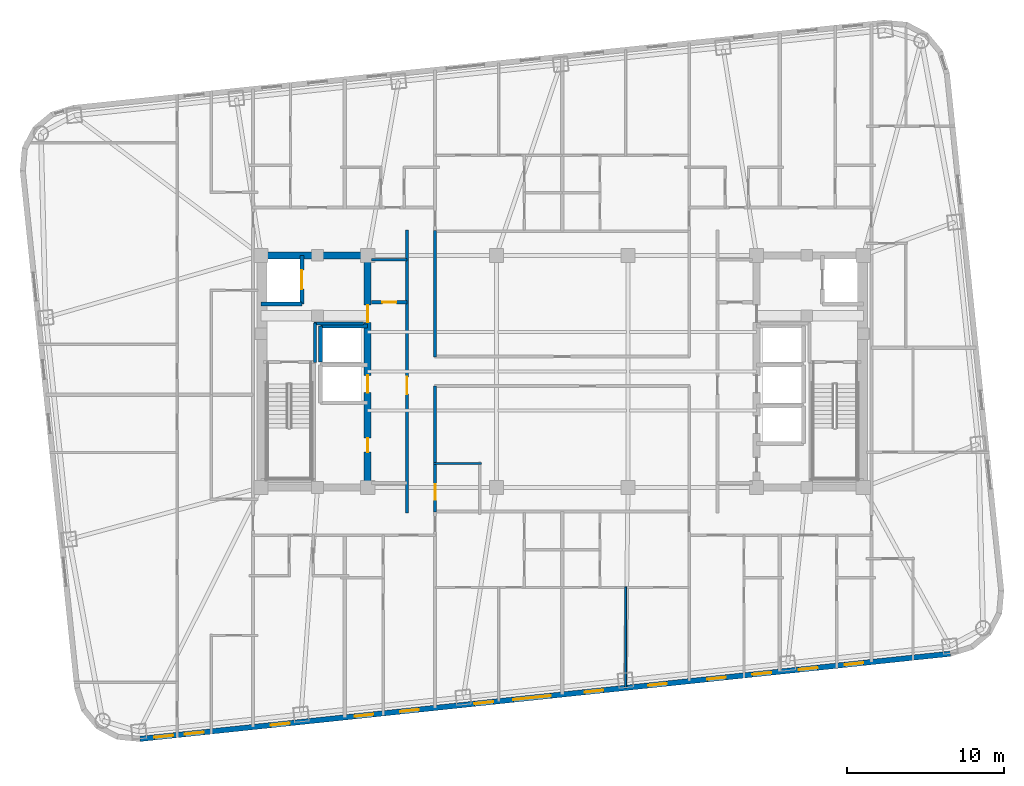
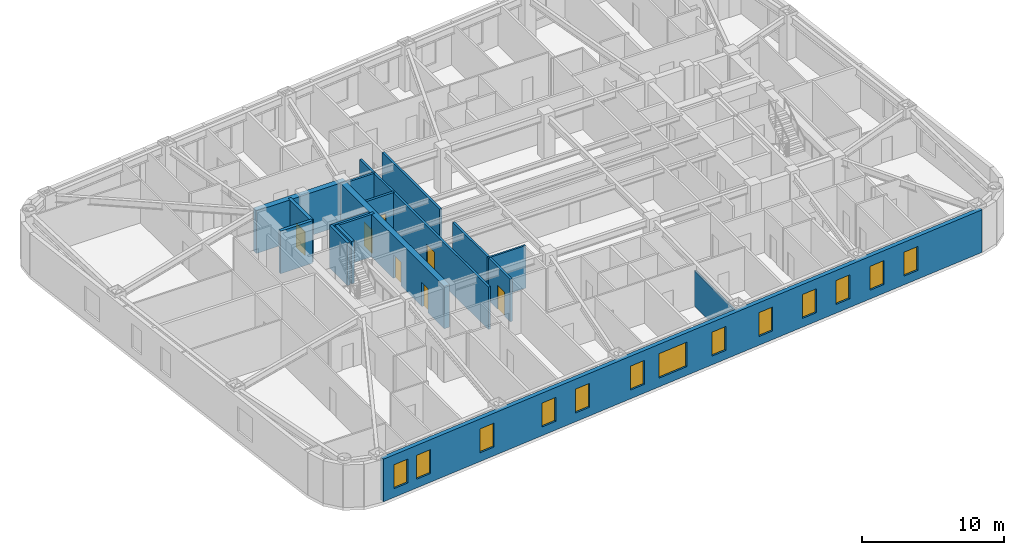
# One storey, part 4 of 11: 16 walls, 13 windows, 7 doors, 20 openings.
"""IFC4 building model written with IfcOpenShell, lengths in metres."""

from ifc_helpers import new_model, si_unit, direction, frame, frame_2d, origin, place, context, subcontext, project, spatial, rectangle, extrude, material, layer, layer_set, type_object, element, fill, save


model = new_model("IFC4")

# Units and contexts
model_context = context("Model", 3, precision=1e-05, world=origin(), true_north=direction((0.0, 1.0)))
body_context = subcontext(model_context, "Body", "Model", "MODEL_VIEW")
ifc_project = project(units=[si_unit("LENGTHUNIT", "METRE"), si_unit("AREAUNIT", "SQUARE_METRE"), si_unit("VOLUMEUNIT", "CUBIC_METRE"), si_unit("PLANEANGLEUNIT", "RADIAN"), si_unit("MASSUNIT", "GRAM", prefix="KILO")], contexts=[model_context])

# Site, building, storey
site_placement = place(None, origin())
site = spatial("IfcSite", under=ifc_project, at=site_placement, CompositionType="ELEMENT")
building_placement = place(site_placement, origin())
building = spatial("IfcBuilding", under=site, at=building_placement, Name="Voryun Gate Residences", CompositionType="ELEMENT")
storey_placement = place(building_placement, frame((0.0, 0.0, 156.0)))
storey = spatial("IfcBuildingStorey", under=building, at=storey_placement, Name="L38", CompositionType="ELEMENT", Elevation=156.0)

# Wall
ifc_material_1 = material(Name="Concrete C50/60", Category="concrete")
ifc_layer_1 = layer(ifc_material_1, 0.449951171875, Name="CW_CORE_450")
ifc_layer_set_1 = layer_set([ifc_layer_1], Name="Concrete C50/60")
wall_type_1 = type_object("IfcWallType", Name="CW_CORE_450", PredefinedType="SHEAR", material=ifc_layer_set_1)
wall_1_placement = place(storey_placement, frame((-19.425048828125, 7.39990234375, 0.0), z_axis=(0.0, 0.0, 1.0), x_axis=(1.0, 0.0, 0.0)))
element("IfcWall", 1, at=wall_1_placement, inside=storey, type_object=wall_type_1, Name="L38 Core shear wall CW-L38-WN", PredefinedType="SHEAR", context=body_context, shape_type="SweptSolid", body=[
    extrude(rectangle(XDim=7.25, YDim=0.449951171875, at=frame_2d((3.625, 0.0))), origin(), (0.0, 0.0, 1.0), 3.64990234375),
])

# Wall, openings, doors
wall_2_placement = place(storey_placement, frame((-12.39990234375, -7.39990234375, 0.0), z_axis=(0.0, 0.0, 1.0), x_axis=(0.0, 1.0, 0.0)))
wall_2 = element("IfcWall", 2, at=wall_2_placement, inside=storey, type_object=wall_type_1, Name="L38 Core shear wall CW-L38-WE", PredefinedType="SHEAR", context=body_context, shape_type="SweptSolid", body=[
    extrude(rectangle(XDim=14.7998046875, YDim=0.449951171875, at=frame_2d((7.39990234375, 0.0))), origin(), (0.0, 0.0, 1.0), 3.64990234375),
])
opening_1_placement = place(wall_2_placement, frame((6.050048828125, 0.0, 0.0)))
opening_1 = element("IfcOpeningElement", 3, at=opening_1_placement, cuts=wall_2, Name="Opening LD2", PredefinedType="OPENING", context=body_context, shape_type="SweptSolid", body=[
    extrude(rectangle(XDim=1.10009765625, YDim=2.050048828125, at=frame_2d((0.550048828125, 1.02490234375))), frame((0.0, 0.235107421875, 0.0), z_axis=(0.0, -1.0, 0.0), x_axis=(1.0, 0.0, 0.0)), (0.0, 0.0, 1.0), 0.469970703125),
])
opening_2_placement = place(wall_2_placement, frame((10.530029296875, 0.0, 0.0)))
opening_2 = element("IfcOpeningElement", 4, at=opening_2_placement, cuts=wall_2, Name="Opening D-FD60-2", PredefinedType="OPENING", context=body_context, shape_type="SweptSolid", body=[
    extrude(rectangle(XDim=1.10009765625, YDim=2.050048828125, at=frame_2d((0.550048828125, 1.02490234375))), frame((0.0, 0.235107421875, 0.0), z_axis=(0.0, -1.0, 0.0), x_axis=(1.0, 0.0, 0.0)), (0.0, 0.0, 1.0), 0.469970703125),
])
opening_3_placement = place(wall_2_placement, frame((2.25, 0.0, 0.0)))
opening_3 = element("IfcOpeningElement", 5, at=opening_3_placement, cuts=wall_2, Name="Opening D-FD60-4", PredefinedType="OPENING", context=body_context, shape_type="SweptSolid", body=[
    extrude(rectangle(XDim=0.89990234375, YDim=2.050048828125, at=frame_2d((0.449951171875, 1.02490234375))), frame((0.0, 0.235107421875, 0.0), z_axis=(0.0, -1.0, 0.0), x_axis=(1.0, 0.0, 0.0)), (0.0, 0.0, 1.0), 0.469970703125),
])
ifc_material_2 = material(Name="Painted steel fire door", Category="steel")
door_type_1 = type_object("IfcDoorType", Name="DR_FD60_FFLOB_1100", OperationType="NOTDEFINED", PredefinedType="DOOR", material=ifc_material_2)
door_1_placement = place(opening_2_placement, origin())
door_1 = element("IfcDoor", 6, at=door_1_placement, inside=storey, type_object=door_type_1, Name="Door DR-L38-CLOB-W", OperationType="SINGLE_SWING_LEFT", OverallHeight=2.050048828125, OverallWidth=1.10009765625, PredefinedType="DOOR", context=body_context, shape_type="SweptSolid", body=[
    extrude(rectangle(XDim=1.10009765625, YDim=2.050048828125, at=frame_2d((0.550048828125, 1.02490234375))), frame((0.0, 0.02490234375, 0.0), z_axis=(0.0, -1.0, 0.0), x_axis=(1.0, 0.0, 0.0)), (0.0, 0.0, 1.0), 0.050048828125),
])
fill(opening_2, door_1)
ifc_material_3 = material(Name="Painted steel fire door", Category="steel")
door_type_2 = type_object("IfcDoorType", Name="DR_FD60_RISER_900", OperationType="NOTDEFINED", PredefinedType="DOOR", material=ifc_material_3)
door_2_placement = place(opening_3_placement, origin())
door_2 = element("IfcDoor", 7, at=door_2_placement, inside=storey, type_object=door_type_2, Name="Door DR-L38-RECW1", OperationType="SINGLE_SWING_LEFT", OverallHeight=2.050048828125, OverallWidth=0.89990234375, PredefinedType="DOOR", context=body_context, shape_type="SweptSolid", body=[
    extrude(rectangle(XDim=0.89990234375, YDim=2.050048828125, at=frame_2d((0.449951171875, 1.02490234375))), frame((0.0, 0.02490234375, 0.0), z_axis=(0.0, -1.0, 0.0), x_axis=(1.0, 0.0, 0.0)), (0.0, 0.0, 1.0), 0.050048828125),
])
fill(opening_3, door_2)
ifc_material_4 = material(Name="Anodised aluminium", Category="aluminium")
door_type_3 = type_object("IfcDoorType", Name="DR_LD_PASS_1100", OperationType="NOTDEFINED", PredefinedType="DOOR", material=ifc_material_4)
door_3_placement = place(opening_1_placement, origin())
door_3 = element("IfcDoor", 8, at=door_3_placement, inside=storey, type_object=door_type_3, Name="Lift EL-P4 sliding landing door L38", OperationType="SLIDING_TO_LEFT", OverallHeight=2.050048828125, OverallWidth=1.10009765625, PredefinedType="DOOR", context=body_context, shape_type="SweptSolid", body=[
    extrude(rectangle(XDim=1.10009765625, YDim=2.050048828125, at=frame_2d((0.550048828125, 1.02490234375))), frame((0.0, 0.02490234375, 0.0), z_axis=(0.0, -1.0, 0.0), x_axis=(1.0, 0.0, 0.0)), (0.0, 0.0, 1.0), 0.050048828125),
])
fill(opening_1, door_3)

# Wall
ifc_material_5 = material(Name="Gypsum acoustic fireboard")
ifc_layer_2 = layer(ifc_material_5, 0.179931640625, Name="W_CORR_RATED_180")
ifc_layer_set_2 = layer_set([ifc_layer_2], Name="Gypsum acoustic fireboard")
wall_type_2 = type_object("IfcWallType", Name="W_CORR_RATED_180", PredefinedType="PARTITIONING", material=ifc_layer_set_2)
wall_3_placement = place(storey_placement, frame((-12.14990234375, 7.1201171875, 0.0), z_axis=(0.0, 0.0, 1.0), x_axis=(1.0, 0.0, 0.0)))
element("IfcWall", 9, at=wall_3_placement, inside=storey, type_object=wall_type_2, Name="Partition wall WP-L38-PLBN-W", PredefinedType="PARTITIONING", context=body_context, shape_type="SweptSolid", body=[
    extrude(rectangle(XDim=2.27001953125, YDim=0.179931640625, at=frame_2d((1.135009765625, 0.0))), origin(), (0.0, 0.0, 1.0), 3.64990234375),
])

# Wall, opening, door
wall_4_placement = place(storey_placement, frame((-9.89990234375, -9.030029296875, 0.0), z_axis=(0.0, 0.0, 1.0), x_axis=(0.0, 1.0, 0.0)))
wall_4 = element("IfcWall", 10, at=wall_4_placement, inside=storey, type_object=wall_type_2, Name="Partition wall WP-L38-PLBW-FULL", PredefinedType="PARTITIONING", context=body_context, shape_type="SweptSolid", body=[
    extrude(rectangle(XDim=18.06005859375, YDim=0.179931640625, at=frame_2d((9.030029296875, 0.0))), origin(), (0.0, 0.0, 1.0), 3.64990234375),
])
opening_4_placement = place(wall_4_placement, frame((7.576904296875, 0.0, 0.0)))
opening_4 = element("IfcOpeningElement", 11, at=opening_4_placement, cuts=wall_4, Name="Opening D-FD60-2", PredefinedType="OPENING", context=body_context, shape_type="SweptSolid", body=[
    extrude(rectangle(XDim=1.10009765625, YDim=2.050048828125, at=frame_2d((0.550048828125, 1.02490234375))), frame((0.0, 0.099853515625, 0.0), z_axis=(0.0, -1.0, 0.0), x_axis=(1.0, 0.0, 0.0)), (0.0, 0.0, 1.0), 0.199951171875),
])
door_4_placement = place(opening_4_placement, origin())
door_4 = element("IfcDoor", 12, at=door_4_placement, inside=storey, type_object=door_type_1, Name="Door DR-L38-PLBW-COR", OperationType="SINGLE_SWING_LEFT", OverallHeight=2.050048828125, OverallWidth=1.10009765625, PredefinedType="DOOR", context=body_context, shape_type="SweptSolid", body=[
    extrude(rectangle(XDim=1.10009765625, YDim=2.050048828125, at=frame_2d((0.550048828125, 1.02490234375))), frame((0.0, 0.02490234375, 0.0), z_axis=(0.0, -1.0, 0.0), x_axis=(1.0, 0.0, 0.0)), (0.0, 0.0, 1.0), 0.050048828125),
])
fill(opening_4, door_4)

# Wall
wall_5_placement = place(storey_placement, frame((-8.10009765625, 0.919921875, 0.0), z_axis=(0.0, 0.0, 1.0), x_axis=(0.0, 1.0, 0.0)))
element("IfcWall", 13, at=wall_5_placement, inside=storey, type_object=wall_type_2, Name="Partition wall WP-L38-Z2WL1", PredefinedType="PARTITIONING", context=body_context, shape_type="SweptSolid", body=[
    extrude(rectangle(XDim=8.06005859375, YDim=0.179931640625, at=frame_2d((4.030029296875, 0.0))), origin(), (0.0, 0.0, 1.0), 3.64990234375),
])

# Wall, opening, door
wall_6_placement = place(storey_placement, frame((-8.10009765625, -8.97998046875, 0.0), z_axis=(0.0, 0.0, 1.0), x_axis=(0.0, 1.0, 0.0)))
wall_6 = element("IfcWall", 14, at=wall_6_placement, inside=storey, type_object=wall_type_2, Name="Partition wall WP-L38-Z2WL2", PredefinedType="PARTITIONING", context=body_context, shape_type="SweptSolid", body=[
    extrude(rectangle(XDim=8.06005859375, YDim=0.179931640625, at=frame_2d((4.030029296875, 0.0))), origin(), (0.0, 0.0, 1.0), 3.64990234375),
])
opening_5_placement = place(wall_6_placement, frame((0.78955078125, 0.0, 0.0)))
opening_5 = element("IfcOpeningElement", 15, at=opening_5_placement, cuts=wall_6, Name="Opening D-AWC-1", PredefinedType="OPENING", context=body_context, shape_type="SweptSolid", body=[
    extrude(rectangle(XDim=1.0, YDim=2.050048828125, at=frame_2d((0.5, 1.02490234375))), frame((0.0, 0.099853515625, 0.0), z_axis=(0.0, -1.0, 0.0), x_axis=(1.0, 0.0, 0.0)), (0.0, 0.0, 1.0), 0.199951171875),
])
ifc_material_6 = material(Name="Architectural oak veneer")
door_type_4 = type_object("IfcDoorType", Name="DR_ACC_WC_1000", OperationType="NOTDEFINED", PredefinedType="DOOR", material=ifc_material_6)
door_5_placement = place(opening_5_placement, origin())
door_5 = element("IfcDoor", 16, at=door_5_placement, inside=storey, type_object=door_type_4, Name="Door DR-L38-CMWC-D", OperationType="SINGLE_SWING_LEFT", OverallHeight=2.050048828125, OverallWidth=1.0, PredefinedType="DOOR", context=body_context, shape_type="SweptSolid", body=[
    extrude(rectangle(XDim=1.0, YDim=2.050048828125, at=frame_2d((0.5, 1.02490234375))), frame((0.0, 0.02490234375, 0.0), z_axis=(0.0, -1.0, 0.0), x_axis=(1.0, 0.0, 0.0)), (0.0, 0.0, 1.0), 0.050048828125),
])
fill(opening_5, door_5)

# Wall, openings, windows
ifc_material_7 = material(Name="Charcoal terracotta masonry", Category="masonry")
ifc_layer_3 = layer(ifc_material_7, 0.340087890625, Name="W_EXT_TERRACOTTA_340")
ifc_layer_set_3 = layer_set([ifc_layer_3], Name="Charcoal terracotta masonry")
wall_type_3 = type_object("IfcWallType", Name="W_EXT_TERRACOTTA_340", PredefinedType="ELEMENTEDWALL", material=ifc_layer_set_3)
wall_7_placement = place(storey_placement, frame((24.755615234375, -18.003173828125, 0.0), z_axis=(0.0, 0.0, 1.0), x_axis=(-0.99452160744, -0.104531202687, 0.0)))
wall_7 = element("IfcWall", 17, at=wall_7_placement, inside=storey, type_object=wall_type_3, Name="Exterior wall WEXT-L38-01", PredefinedType="ELEMENTEDWALL", context=body_context, shape_type="SweptSolid", body=[
    extrude(rectangle(XDim=51.966552734375, YDim=0.340087890625, at=frame_2d((25.9833984375, 0.0))), origin(), (0.0, 0.0, 1.0), 3.64990234375),
])
opening_6_placement = place(wall_7_placement, frame((25.63330078125, 0.0, 0.75)))
opening_6 = element("IfcOpeningElement", 18, at=opening_6_placement, cuts=wall_7, Name="Opening WN2", PredefinedType="OPENING", context=body_context, shape_type="SweptSolid", body=[
    extrude(rectangle(XDim=2.39990234375, YDim=2.10009765625, at=frame_2d((1.199951171875, 1.050048828125))), frame((0.0, 0.179931640625, 0.0), z_axis=(0.0, -1.0, 0.0), x_axis=(1.0, 0.0, 0.0)), (0.0, 0.0, 1.0), 0.360107421875),
])
opening_7_placement = place(wall_7_placement, frame((42.369384765625, 0.0, 0.75)))
opening_7 = element("IfcOpeningElement", 19, at=opening_7_placement, cuts=wall_7, Name="Opening WN6", PredefinedType="OPENING", context=body_context, shape_type="SweptSolid", body=[
    extrude(rectangle(XDim=1.199951171875, YDim=2.050048828125, at=frame_2d((0.60009765625, 1.02490234375))), frame((0.0, 0.179931640625, 0.0), z_axis=(0.0, -1.0, 0.0), x_axis=(1.0, 0.0, 0.0)), (0.0, 0.0, 1.0), 0.360107421875),
])
opening_8_placement = place(wall_7_placement, frame((34.084716796875, 0.0, 0.75)))
opening_8 = element("IfcOpeningElement", 20, at=opening_8_placement, cuts=wall_7, Name="Opening WN6", PredefinedType="OPENING", context=body_context, shape_type="SweptSolid", body=[
    extrude(rectangle(XDim=1.199951171875, YDim=2.050048828125, at=frame_2d((0.60009765625, 1.02490234375))), frame((0.0, 0.179931640625, 0.0), z_axis=(0.0, -1.0, 0.0), x_axis=(1.0, 0.0, 0.0)), (0.0, 0.0, 1.0), 0.360107421875),
])
opening_9_placement = place(wall_7_placement, frame((36.9931640625, 0.0, 0.75)))
opening_9 = element("IfcOpeningElement", 21, at=opening_9_placement, cuts=wall_7, Name="Opening WN6", PredefinedType="OPENING", context=body_context, shape_type="SweptSolid", body=[
    extrude(rectangle(XDim=1.199951171875, YDim=2.050048828125, at=frame_2d((0.60009765625, 1.02490234375))), frame((0.0, 0.179931640625, 0.0), z_axis=(0.0, -1.0, 0.0), x_axis=(1.0, 0.0, 0.0)), (0.0, 0.0, 1.0), 0.360107421875),
])
opening_10_placement = place(wall_7_placement, frame((14.3974609375, 0.0, 0.75)))
opening_10 = element("IfcOpeningElement", 22, at=opening_10_placement, cuts=wall_7, Name="Opening WN6", PredefinedType="OPENING", context=body_context, shape_type="SweptSolid", body=[
    extrude(rectangle(XDim=1.199951171875, YDim=2.050048828125, at=frame_2d((0.60009765625, 1.02490234375))), frame((0.0, 0.179931640625, 0.0), z_axis=(0.0, -1.0, 0.0), x_axis=(1.0, 0.0, 0.0)), (0.0, 0.0, 1.0), 0.360107421875),
])
opening_11_placement = place(wall_7_placement, frame((11.489013671875, 0.0, 0.75)))
opening_11 = element("IfcOpeningElement", 23, at=opening_11_placement, cuts=wall_7, Name="Opening WN6", PredefinedType="OPENING", context=body_context, shape_type="SweptSolid", body=[
    extrude(rectangle(XDim=1.199951171875, YDim=2.050048828125, at=frame_2d((0.60009765625, 1.02490234375))), frame((0.0, 0.179931640625, 0.0), z_axis=(0.0, -1.0, 0.0), x_axis=(1.0, 0.0, 0.0)), (0.0, 0.0, 1.0), 0.360107421875),
])
opening_12_placement = place(wall_7_placement, frame((8.520751953125, 0.0, 0.75)))
opening_12 = element("IfcOpeningElement", 24, at=opening_12_placement, cuts=wall_7, Name="Opening WN6", PredefinedType="OPENING", context=body_context, shape_type="SweptSolid", body=[
    extrude(rectangle(XDim=1.199951171875, YDim=2.050048828125, at=frame_2d((0.60009765625, 1.02490234375))), frame((0.0, 0.179931640625, 0.0), z_axis=(0.0, -1.0, 0.0), x_axis=(1.0, 0.0, 0.0)), (0.0, 0.0, 1.0), 0.360107421875),
])
opening_13_placement = place(wall_7_placement, frame((5.58203125, 0.0, 0.75)))
opening_13 = element("IfcOpeningElement", 25, at=opening_13_placement, cuts=wall_7, Name="Opening WN6", PredefinedType="OPENING", context=body_context, shape_type="SweptSolid", body=[
    extrude(rectangle(XDim=1.199951171875, YDim=2.050048828125, at=frame_2d((0.60009765625, 1.02490234375))), frame((0.0, 0.179931640625, 0.0), z_axis=(0.0, -1.0, 0.0), x_axis=(1.0, 0.0, 0.0)), (0.0, 0.0, 1.0), 0.360107421875),
])
opening_14_placement = place(wall_7_placement, frame((29.31298828125, 0.0, 0.75)))
opening_14 = element("IfcOpeningElement", 26, at=opening_14_placement, cuts=wall_7, Name="Opening WN6", PredefinedType="OPENING", context=body_context, shape_type="SweptSolid", body=[
    extrude(rectangle(XDim=1.199951171875, YDim=2.050048828125, at=frame_2d((0.60009765625, 1.02490234375))), frame((0.0, 0.179931640625, 0.0), z_axis=(0.0, -1.0, 0.0), x_axis=(1.0, 0.0, 0.0)), (0.0, 0.0, 1.0), 0.360107421875),
])
opening_15_placement = place(wall_7_placement, frame((22.248291015625, 0.0, 0.75)))
opening_15 = element("IfcOpeningElement", 27, at=opening_15_placement, cuts=wall_7, Name="Opening WN6", PredefinedType="OPENING", context=body_context, shape_type="SweptSolid", body=[
    extrude(rectangle(XDim=1.199951171875, YDim=2.050048828125, at=frame_2d((0.60009765625, 1.02490234375))), frame((0.0, 0.179931640625, 0.0), z_axis=(0.0, -1.0, 0.0), x_axis=(1.0, 0.0, 0.0)), (0.0, 0.0, 1.0), 0.360107421875),
])
opening_16_placement = place(wall_7_placement, frame((18.18603515625, 0.0, 0.75)))
opening_16 = element("IfcOpeningElement", 28, at=opening_16_placement, cuts=wall_7, Name="Opening WN6", PredefinedType="OPENING", context=body_context, shape_type="SweptSolid", body=[
    extrude(rectangle(XDim=1.199951171875, YDim=2.050048828125, at=frame_2d((0.60009765625, 1.02490234375))), frame((0.0, 0.179931640625, 0.0), z_axis=(0.0, -1.0, 0.0), x_axis=(1.0, 0.0, 0.0)), (0.0, 0.0, 1.0), 0.360107421875),
])
opening_17_placement = place(wall_7_placement, frame((47.87890625, 0.0, 0.75)))
opening_17 = element("IfcOpeningElement", 29, at=opening_17_placement, cuts=wall_7, Name="Opening WN6", PredefinedType="OPENING", context=body_context, shape_type="SweptSolid", body=[
    extrude(rectangle(XDim=1.199951171875, YDim=2.050048828125, at=frame_2d((0.60009765625, 1.02490234375))), frame((0.0, 0.179931640625, 0.0), z_axis=(0.0, -1.0, 0.0), x_axis=(1.0, 0.0, 0.0)), (0.0, 0.0, 1.0), 0.360107421875),
])
opening_18_placement = place(wall_7_placement, frame((49.84423828125, 0.0, 0.75)))
opening_18 = element("IfcOpeningElement", 30, at=opening_18_placement, cuts=wall_7, Name="Opening WN6", PredefinedType="OPENING", context=body_context, shape_type="SweptSolid", body=[
    extrude(rectangle(XDim=1.199951171875, YDim=2.050048828125, at=frame_2d((0.60009765625, 1.02490234375))), frame((0.0, 0.179931640625, 0.0), z_axis=(0.0, -1.0, 0.0), x_axis=(1.0, 0.0, 0.0)), (0.0, 0.0, 1.0), 0.360107421875),
])
ifc_material_8 = material(Name="Laminated low-E glass", Category="glass")
window_type_1 = type_object("IfcWindowType", Name="WN_POD_SLOT_1200", PartitioningType="SINGLE_PANEL", PredefinedType="WINDOW", material=ifc_material_8)
window_1_placement = place(opening_7_placement, origin())
window_1 = element("IfcWindow", 31, at=window_1_placement, inside=storey, type_object=window_type_1, Name="Window WN-L38-DWFIX-10", OverallHeight=2.050048828125, OverallWidth=1.199951171875, PartitioningType="SINGLE_PANEL", PredefinedType="WINDOW", context=body_context, shape_type="SweptSolid", body=[
    extrude(rectangle(XDim=1.199951171875, YDim=2.050048828125, at=frame_2d((0.60009765625, 1.02490234375))), frame((0.0, 0.030029296875, 0.0), z_axis=(0.0, -1.0, 0.0), x_axis=(1.0, 0.0, 0.0)), (0.0, 0.0, 1.0), 0.06005859375),
])
fill(opening_7, window_1)
window_2_placement = place(opening_8_placement, origin())
window_2 = element("IfcWindow", 32, at=window_2_placement, inside=storey, type_object=window_type_1, Name="Window WN-L38-DWFIX-11", OverallHeight=2.050048828125, OverallWidth=1.199951171875, PartitioningType="SINGLE_PANEL", PredefinedType="WINDOW", context=body_context, shape_type="SweptSolid", body=[
    extrude(rectangle(XDim=1.199951171875, YDim=2.050048828125, at=frame_2d((0.60009765625, 1.02490234375))), frame((0.0, 0.030029296875, 0.0), z_axis=(0.0, -1.0, 0.0), x_axis=(1.0, 0.0, 0.0)), (0.0, 0.0, 1.0), 0.06005859375),
])
fill(opening_8, window_2)
window_3_placement = place(opening_9_placement, origin())
window_3 = element("IfcWindow", 33, at=window_3_placement, inside=storey, type_object=window_type_1, Name="Window WN-L38-DWFIX-12", OverallHeight=2.050048828125, OverallWidth=1.199951171875, PartitioningType="SINGLE_PANEL", PredefinedType="WINDOW", context=body_context, shape_type="SweptSolid", body=[
    extrude(rectangle(XDim=1.199951171875, YDim=2.050048828125, at=frame_2d((0.60009765625, 1.02490234375))), frame((0.0, 0.030029296875, 0.0), z_axis=(0.0, -1.0, 0.0), x_axis=(1.0, 0.0, 0.0)), (0.0, 0.0, 1.0), 0.06005859375),
])
fill(opening_9, window_3)
window_4_placement = place(opening_10_placement, origin())
window_4 = element("IfcWindow", 34, at=window_4_placement, inside=storey, type_object=window_type_1, Name="Window WN-L38-DWFIX-13", OverallHeight=2.050048828125, OverallWidth=1.199951171875, PartitioningType="SINGLE_PANEL", PredefinedType="WINDOW", context=body_context, shape_type="SweptSolid", body=[
    extrude(rectangle(XDim=1.199951171875, YDim=2.050048828125, at=frame_2d((0.60009765625, 1.02490234375))), frame((0.0, 0.030029296875, 0.0), z_axis=(0.0, -1.0, 0.0), x_axis=(1.0, 0.0, 0.0)), (0.0, 0.0, 1.0), 0.06005859375),
])
fill(opening_10, window_4)
window_5_placement = place(opening_11_placement, origin())
window_5 = element("IfcWindow", 35, at=window_5_placement, inside=storey, type_object=window_type_1, Name="Window WN-L38-DWFIX-14", OverallHeight=2.050048828125, OverallWidth=1.199951171875, PartitioningType="SINGLE_PANEL", PredefinedType="WINDOW", context=body_context, shape_type="SweptSolid", body=[
    extrude(rectangle(XDim=1.199951171875, YDim=2.050048828125, at=frame_2d((0.60009765625, 1.02490234375))), frame((0.0, 0.030029296875, 0.0), z_axis=(0.0, -1.0, 0.0), x_axis=(1.0, 0.0, 0.0)), (0.0, 0.0, 1.0), 0.06005859375),
])
fill(opening_11, window_5)
window_6_placement = place(opening_12_placement, origin())
window_6 = element("IfcWindow", 36, at=window_6_placement, inside=storey, type_object=window_type_1, Name="Window WN-L38-DWFIX-15", OverallHeight=2.050048828125, OverallWidth=1.199951171875, PartitioningType="SINGLE_PANEL", PredefinedType="WINDOW", context=body_context, shape_type="SweptSolid", body=[
    extrude(rectangle(XDim=1.199951171875, YDim=2.050048828125, at=frame_2d((0.60009765625, 1.02490234375))), frame((0.0, 0.030029296875, 0.0), z_axis=(0.0, -1.0, 0.0), x_axis=(1.0, 0.0, 0.0)), (0.0, 0.0, 1.0), 0.06005859375),
])
fill(opening_12, window_6)
window_7_placement = place(opening_13_placement, origin())
window_7 = element("IfcWindow", 37, at=window_7_placement, inside=storey, type_object=window_type_1, Name="Window WN-L38-DWFIX-16", OverallHeight=2.050048828125, OverallWidth=1.199951171875, PartitioningType="SINGLE_PANEL", PredefinedType="WINDOW", context=body_context, shape_type="SweptSolid", body=[
    extrude(rectangle(XDim=1.199951171875, YDim=2.050048828125, at=frame_2d((0.60009765625, 1.02490234375))), frame((0.0, 0.030029296875, 0.0), z_axis=(0.0, -1.0, 0.0), x_axis=(1.0, 0.0, 0.0)), (0.0, 0.0, 1.0), 0.06005859375),
])
fill(opening_13, window_7)
window_8_placement = place(opening_14_placement, origin())
window_8 = element("IfcWindow", 38, at=window_8_placement, inside=storey, type_object=window_type_1, Name="Window WN-L38-DWFIX-17", OverallHeight=2.050048828125, OverallWidth=1.199951171875, PartitioningType="SINGLE_PANEL", PredefinedType="WINDOW", context=body_context, shape_type="SweptSolid", body=[
    extrude(rectangle(XDim=1.199951171875, YDim=2.050048828125, at=frame_2d((0.60009765625, 1.02490234375))), frame((0.0, 0.030029296875, 0.0), z_axis=(0.0, -1.0, 0.0), x_axis=(1.0, 0.0, 0.0)), (0.0, 0.0, 1.0), 0.06005859375),
])
fill(opening_14, window_8)
window_9_placement = place(opening_15_placement, origin())
window_9 = element("IfcWindow", 39, at=window_9_placement, inside=storey, type_object=window_type_1, Name="Window WN-L38-DWFIX-18", OverallHeight=2.050048828125, OverallWidth=1.199951171875, PartitioningType="SINGLE_PANEL", PredefinedType="WINDOW", context=body_context, shape_type="SweptSolid", body=[
    extrude(rectangle(XDim=1.199951171875, YDim=2.050048828125, at=frame_2d((0.60009765625, 1.02490234375))), frame((0.0, 0.030029296875, 0.0), z_axis=(0.0, -1.0, 0.0), x_axis=(1.0, 0.0, 0.0)), (0.0, 0.0, 1.0), 0.06005859375),
])
fill(opening_15, window_9)
window_10_placement = place(opening_16_placement, origin())
window_10 = element("IfcWindow", 40, at=window_10_placement, inside=storey, type_object=window_type_1, Name="Window WN-L38-DWFIX-19", OverallHeight=2.050048828125, OverallWidth=1.199951171875, PartitioningType="SINGLE_PANEL", PredefinedType="WINDOW", context=body_context, shape_type="SweptSolid", body=[
    extrude(rectangle(XDim=1.199951171875, YDim=2.050048828125, at=frame_2d((0.60009765625, 1.02490234375))), frame((0.0, 0.030029296875, 0.0), z_axis=(0.0, -1.0, 0.0), x_axis=(1.0, 0.0, 0.0)), (0.0, 0.0, 1.0), 0.06005859375),
])
fill(opening_16, window_10)
window_11_placement = place(opening_17_placement, origin())
window_11 = element("IfcWindow", 41, at=window_11_placement, inside=storey, type_object=window_type_1, Name="Window WN-L38-DWFIX-20", OverallHeight=2.050048828125, OverallWidth=1.199951171875, PartitioningType="SINGLE_PANEL", PredefinedType="WINDOW", context=body_context, shape_type="SweptSolid", body=[
    extrude(rectangle(XDim=1.199951171875, YDim=2.050048828125, at=frame_2d((0.60009765625, 1.02490234375))), frame((0.0, 0.030029296875, 0.0), z_axis=(0.0, -1.0, 0.0), x_axis=(1.0, 0.0, 0.0)), (0.0, 0.0, 1.0), 0.06005859375),
])
fill(opening_17, window_11)
window_12_placement = place(opening_18_placement, origin())
window_12 = element("IfcWindow", 42, at=window_12_placement, inside=storey, type_object=window_type_1, Name="Window WN-L38-DWFIX-22", OverallHeight=2.050048828125, OverallWidth=1.199951171875, PartitioningType="SINGLE_PANEL", PredefinedType="WINDOW", context=body_context, shape_type="SweptSolid", body=[
    extrude(rectangle(XDim=1.199951171875, YDim=2.050048828125, at=frame_2d((0.60009765625, 1.02490234375))), frame((0.0, 0.030029296875, 0.0), z_axis=(0.0, -1.0, 0.0), x_axis=(1.0, 0.0, 0.0)), (0.0, 0.0, 1.0), 0.06005859375),
])
fill(opening_18, window_12)
ifc_material_9 = material(Name="Laminated low-E glass", Category="glass")
window_type_2 = type_object("IfcWindowType", Name="WN_RES_WIDE_2400", PartitioningType="SINGLE_PANEL", PredefinedType="WINDOW", material=ifc_material_9)
window_13_placement = place(opening_6_placement, origin())
window_13 = element("IfcWindow", 43, at=window_13_placement, inside=storey, type_object=window_type_2, Name="Window WN-WEXT-L38-01-02", OverallHeight=2.10009765625, OverallWidth=2.39990234375, PartitioningType="SINGLE_PANEL", PredefinedType="WINDOW", context=body_context, shape_type="SweptSolid", body=[
    extrude(rectangle(XDim=2.39990234375, YDim=2.10009765625, at=frame_2d((1.199951171875, 1.050048828125))), frame((0.0, 0.030029296875, 0.0), z_axis=(0.0, -1.0, 0.0), x_axis=(1.0, 0.0, 0.0)), (0.0, 0.0, 1.0), 0.06005859375),
])
fill(opening_6, window_13)

# Walls
ifc_material_10 = material(Name="Concrete C40/50", Category="concrete")
ifc_layer_4 = layer(ifc_material_10, 0.199951171875, Name="W_FF_LOBBY_200")
ifc_layer_set_4 = layer_set([ifc_layer_4], Name="Concrete C40/50")
wall_type_4 = type_object("IfcWallType", Name="W_FF_LOBBY_200", PredefinedType="PARTITIONING", material=ifc_layer_set_4)
wall_8_placement = place(storey_placement, frame((-15.760009765625, 0.580078125, 0.0), z_axis=(0.0, 0.0, 1.0), x_axis=(0.0, 1.0, 0.0)))
element("IfcWall", 44, at=wall_8_placement, inside=storey, type_object=wall_type_4, Name="Partition wall WP-L38-FFP0-W", PredefinedType="PARTITIONING", context=body_context, shape_type="SweptSolid", body=[
    extrude(rectangle(XDim=2.52001953125, YDim=0.199951171875, at=frame_2d((1.260009765625, 0.0))), origin(), (0.0, 0.0, 1.0), 3.64990234375),
])
wall_9_placement = place(storey_placement, frame((-15.820068359375, 3.06005859375, 0.0), z_axis=(0.0, 0.0, 1.0), x_axis=(1.0, 0.0, 0.0)))
element("IfcWall", 45, at=wall_9_placement, inside=storey, type_object=wall_type_4, Name="Partition wall WP-L38-FFPS-W", PredefinedType="PARTITIONING", context=body_context, shape_type="SweptSolid", body=[
    extrude(rectangle(XDim=3.16015625, YDim=0.199951171875, at=frame_2d((1.580078125, 0.0))), origin(), (0.0, 0.0, 1.0), 3.64990234375),
])

# Wall, opening, door
wall_10_placement = place(storey_placement, frame((-12.14990234375, 4.409912109375, 0.0), z_axis=(0.0, 0.0, 1.0), x_axis=(1.0, 0.0, 0.0)))
wall_10 = element("IfcWall", 46, at=wall_10_placement, inside=storey, type_object=wall_type_4, Name="Partition wall WP-L38-CSFLKS-W", PredefinedType="PARTITIONING", context=body_context, shape_type="SweptSolid", body=[
    extrude(rectangle(XDim=2.27001953125, YDim=0.199951171875, at=frame_2d((1.135009765625, 0.0))), origin(), (0.0, 0.0, 1.0), 3.64990234375),
])
opening_19_placement = place(wall_10_placement, frame((0.68505859375, 0.0, 0.0)))
opening_19 = element("IfcOpeningElement", 47, at=opening_19_placement, cuts=wall_10, Name="Opening D-FD60-4", PredefinedType="OPENING", context=body_context, shape_type="SweptSolid", body=[
    extrude(rectangle(XDim=0.89990234375, YDim=2.050048828125, at=frame_2d((0.449951171875, 1.02490234375))), frame((0.0, 0.110107421875, 0.0), z_axis=(0.0, -1.0, 0.0), x_axis=(1.0, 0.0, 0.0)), (0.0, 0.0, 1.0), 0.219970703125),
])
door_6_placement = place(opening_19_placement, origin())
door_6 = element("IfcDoor", 48, at=door_6_placement, inside=storey, type_object=door_type_2, Name="Door DR-L38-CSFLK-W", OperationType="SINGLE_SWING_LEFT", OverallHeight=2.050048828125, OverallWidth=0.89990234375, PredefinedType="DOOR", context=body_context, shape_type="SweptSolid", body=[
    extrude(rectangle(XDim=0.89990234375, YDim=2.050048828125, at=frame_2d((0.449951171875, 1.02490234375))), frame((0.0, 0.02490234375, 0.0), z_axis=(0.0, -1.0, 0.0), x_axis=(1.0, 0.0, 0.0)), (0.0, 0.0, 1.0), 0.050048828125),
])
fill(opening_19, door_6)

# Wall
ifc_material_11 = material(Name="Concrete C50/60", Category="concrete")
ifc_layer_5 = layer(ifc_material_11, 0.25, Name="W_SHAFT_RC250")
ifc_layer_set_5 = layer_set([ifc_layer_5], Name="Concrete C50/60")
wall_type_5 = type_object("IfcWallType", Name="W_SHAFT_RC250", PredefinedType="SOLIDWALL", material=ifc_layer_set_5)
wall_11_placement = place(storey_placement, frame((-19.199951171875, 4.300048828125, 0.0), z_axis=(0.0, 0.0, 1.0), x_axis=(1.0, 0.0, 0.0)))
element("IfcWall", 49, at=wall_11_placement, inside=storey, type_object=wall_type_5, Name="Lift shaft wall WSH-L38-EL-FF-W1-S", PredefinedType="SOLIDWALL", context=body_context, shape_type="SweptSolid", body=[
    extrude(rectangle(XDim=2.599853515625, YDim=0.25, at=frame_2d((1.2998046875, 0.0))), origin(), (0.0, 0.0, 1.0), 3.64990234375),
])

# Wall, opening, door
wall_12_placement = place(storey_placement, frame((-16.60009765625, 4.300048828125, 0.0), z_axis=(0.0, 0.0, 1.0), x_axis=(0.0, 1.0, 0.0)))
wall_12 = element("IfcWall", 50, at=wall_12_placement, inside=storey, type_object=wall_type_5, Name="Lift shaft wall WSH-L38-EL-FF-W1-E", PredefinedType="SOLIDWALL", context=body_context, shape_type="SweptSolid", body=[
    extrude(rectangle(XDim=3.099853515625, YDim=0.25, at=frame_2d((1.5498046875, 0.0))), origin(), (0.0, 0.0, 1.0), 3.64990234375),
])
opening_20_placement = place(wall_12_placement, frame((0.949951171875, 0.0, 0.0)))
opening_20 = element("IfcOpeningElement", 51, at=opening_20_placement, cuts=wall_12, Name="Opening LD1", PredefinedType="OPENING", context=body_context, shape_type="SweptSolid", body=[
    extrude(rectangle(XDim=1.199951171875, YDim=2.050048828125, at=frame_2d((0.60009765625, 1.02490234375))), frame((0.0, 0.135009765625, 0.0), z_axis=(0.0, -1.0, 0.0), x_axis=(1.0, 0.0, 0.0)), (0.0, 0.0, 1.0), 0.27001953125),
])
ifc_material_12 = material(Name="Anodised aluminium", Category="aluminium")
door_type_5 = type_object("IfcDoorType", Name="DR_LD_FF_1200", OperationType="NOTDEFINED", PredefinedType="DOOR", material=ifc_material_12)
door_7_placement = place(opening_20_placement, origin())
door_7 = element("IfcDoor", 52, at=door_7_placement, inside=storey, type_object=door_type_5, Name="Lift EL-FF-W1 sliding landing door L38", OperationType="SLIDING_TO_LEFT", OverallHeight=2.050048828125, OverallWidth=1.199951171875, PredefinedType="DOOR", context=body_context, shape_type="SweptSolid", body=[
    extrude(rectangle(XDim=1.199951171875, YDim=2.050048828125, at=frame_2d((0.60009765625, 1.02490234375))), frame((0.0, 0.02490234375, 0.0), z_axis=(0.0, -1.0, 0.0), x_axis=(1.0, 0.0, 0.0)), (0.0, 0.0, 1.0), 0.050048828125),
])
fill(opening_20, door_7)

# Walls
wall_13_placement = place(storey_placement, frame((-12.39990234375, 2.89990234375, 0.0), z_axis=(0.0, 0.0, 1.0), x_axis=(-1.0, 0.0, 0.0)))
element("IfcWall", 53, at=wall_13_placement, inside=storey, type_object=wall_type_5, Name="Lift shaft wall WSH-L38-EL-P7-N", PredefinedType="SOLIDWALL", context=body_context, shape_type="SweptSolid", body=[
    extrude(rectangle(XDim=3.0, YDim=0.25, at=frame_2d((1.5, 0.0))), origin(), (0.0, 0.0, 1.0), 3.64990234375),
])
wall_14_placement = place(storey_placement, frame((-15.39990234375, 2.89990234375, 0.0), z_axis=(0.0, 0.0, 1.0), x_axis=(0.0, -1.0, 0.0)))
element("IfcWall", 54, at=wall_14_placement, inside=storey, type_object=wall_type_5, Name="Lift shaft wall WSH-L38-EL-P7-W", PredefinedType="SOLIDWALL", context=body_context, shape_type="SweptSolid", body=[
    extrude(rectangle(XDim=2.2998046875, YDim=0.25, at=frame_2d((1.14990234375, 0.0))), origin(), (0.0, 0.0, 1.0), 3.64990234375),
])
ifc_material_13 = material(Name="Gypsum acoustic partition")
ifc_layer_6 = layer(ifc_material_13, 0.125, Name="W_UNIT_PART_125")
ifc_layer_set_6 = layer_set([ifc_layer_6], Name="Gypsum acoustic partition")
wall_type_6 = type_object("IfcWallType", Name="W_UNIT_PART_125", PredefinedType="PARTITIONING", material=ifc_layer_set_6)
wall_15_placement = place(storey_placement, frame((4.050048828125, -20.179443359375, 0.0), z_axis=(0.0, 0.0, 1.0), x_axis=(0.0, 1.0, 0.0)))
element("IfcWall", 55, at=wall_15_placement, inside=storey, type_object=wall_type_6, Name="Partition wall WP-L38-SC2-VBD", PredefinedType="PARTITIONING", context=body_context, shape_type="SweptSolid", body=[
    extrude(rectangle(XDim=6.439453125, YDim=0.125, at=frame_2d((3.2197265625, 0.0))), origin(), (0.0, 0.0, 1.0), 3.0400390625),
])
ifc_material_14 = material(Name="Gypsum moisture-resistant partition")
ifc_layer_7 = layer(ifc_material_14, 0.14990234375, Name="W_WET_PLUMB_150")
ifc_layer_set_7 = layer_set([ifc_layer_7], Name="Gypsum moisture-resistant partition")
wall_type_7 = type_object("IfcWallType", Name="W_WET_PLUMB_150", PredefinedType="PLUMBINGWALL", material=ifc_layer_set_7)
wall_16_placement = place(storey_placement, frame((-8.2099609375, -5.8701171875, 0.0), z_axis=(0.0, 0.0, 1.0), x_axis=(1.0, 0.0, 0.0)))
element("IfcWall", 56, at=wall_16_placement, inside=storey, type_object=wall_type_7, Name="Partition wall WP-L38-CMWCY", PredefinedType="PLUMBINGWALL", context=body_context, shape_type="SweptSolid", body=[
    extrude(rectangle(XDim=3.050048828125, YDim=0.14990234375, at=frame_2d((1.52490234375, 0.0))), origin(), (0.0, 0.0, 1.0), 3.64990234375),
])

save(model, "model.ifc")
